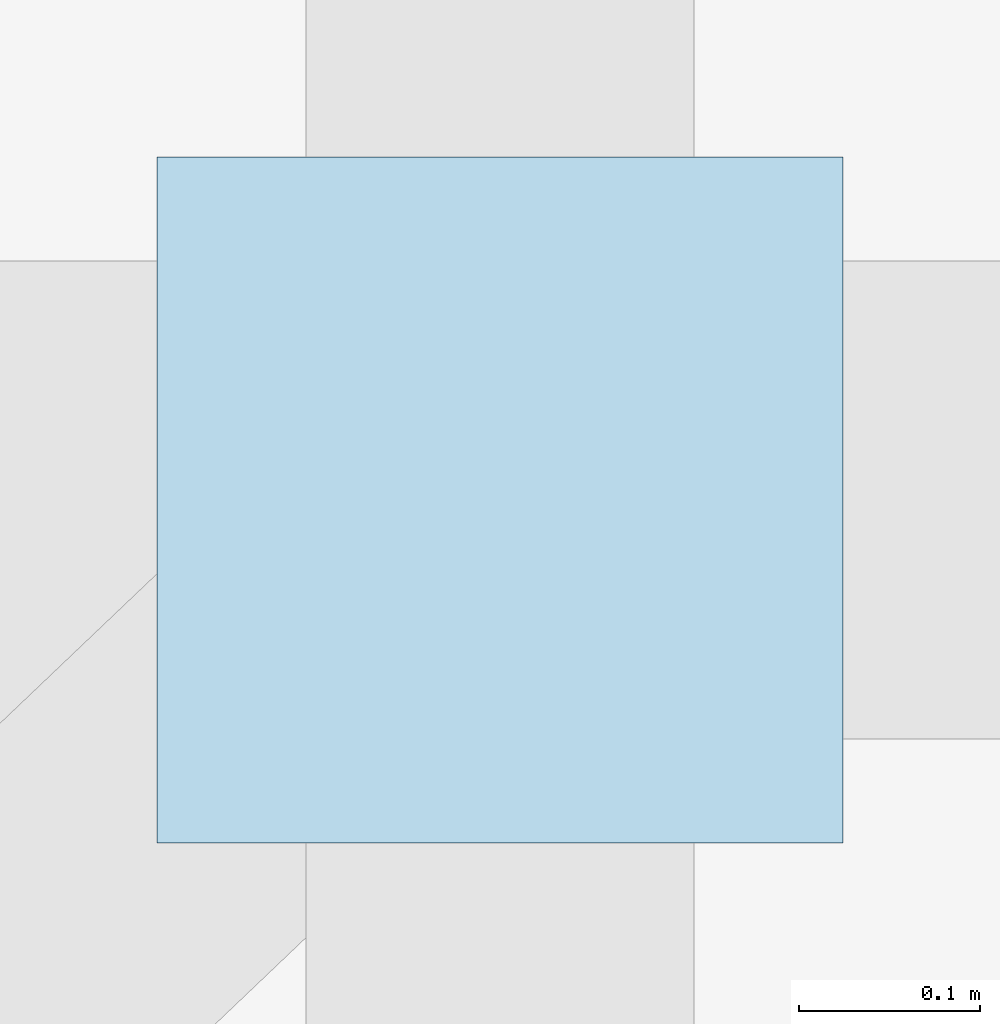
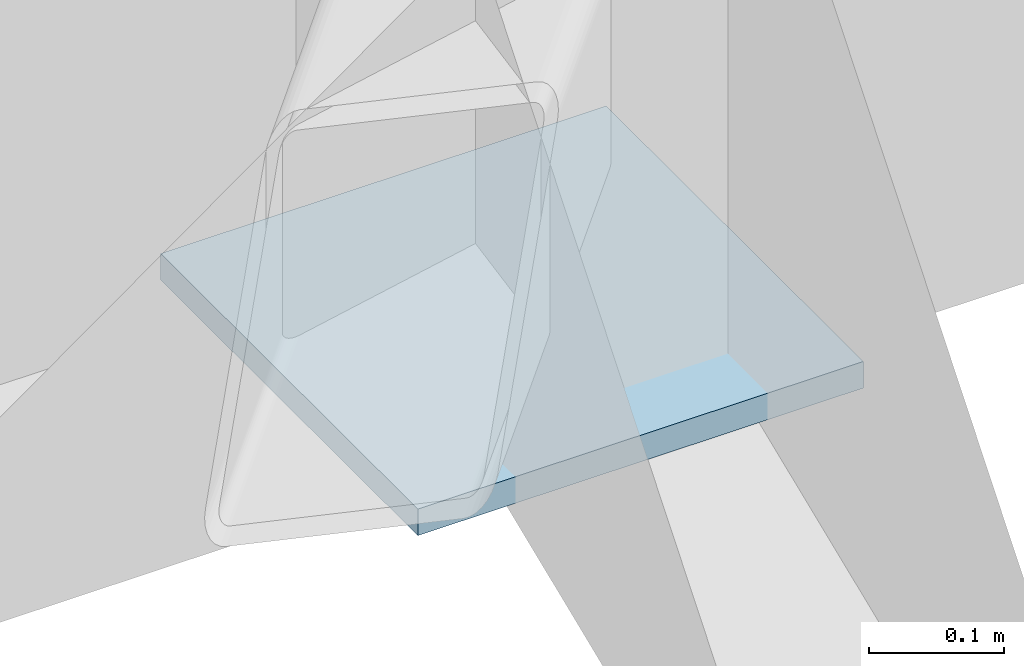
# One storey, part 3 of 5: 1 plate.
"""IFC4 building model written with IfcOpenShell, lengths in metres."""

from ifc_helpers import new_model, si_unit, direction, frame, origin, origin_2d, place, context, subcontext, project, spatial, rectangle, extrude, material, layer, layer_set, type_object, element, save


model = new_model("IFC4")

# Units and contexts
model_context = context("Model", 3, precision=1e-05, world=origin(), true_north=direction((0.0, 1.0)))
body_context = subcontext(model_context, "Body", "Model", "MODEL_VIEW")
ifc_project = project(units=[si_unit("LENGTHUNIT", "METRE"), si_unit("AREAUNIT", "SQUARE_METRE"), si_unit("VOLUMEUNIT", "CUBIC_METRE"), si_unit("PLANEANGLEUNIT", "RADIAN"), si_unit("MASSUNIT", "GRAM", prefix="KILO")], contexts=[model_context])

# Site, building, storey
site_placement = place(None, origin())
site = spatial("IfcSite", under=ifc_project, at=site_placement, CompositionType="ELEMENT")
building_placement = place(site_placement, origin())
building = spatial("IfcBuilding", under=site, at=building_placement, Name="Varncliffe General Hospital", CompositionType="ELEMENT")
storey_placement = place(building_placement, frame((0.0, 0.0, 37.199951171875)))
storey = spatial("IfcBuildingStorey", under=building, at=storey_placement, Name="RF", CompositionType="ELEMENT", Elevation=37.199951171875)

# Plate
ifc_material = material(Name="Steel S355 (CSA G40.21 350W)", Category="steel")
ifc_layer = layer(ifc_material, 0.02392578125)
ifc_layer_set = layer_set([ifc_layer], Name="Steel S355 (CSA G40.21 350W)")
plate_type = type_object("IfcPlateType", Name="Steel Gusset and End Plate GP25 (24mm)", PredefinedType="SHEET", material=ifc_layer_set)
plate_placement = place(storey_placement, frame((16.800048828125, 117.199951171875, 3.255126953125), z_axis=(0.0, 0.0, 1.0), x_axis=(1.0, 0.0, 0.0)))
element("IfcPlate", 1, at=plate_placement, inside=storey, type_object=plate_type, Name="RF RF-V6-NW Lateral Brace Gusset Plate 1", PredefinedType="SHEET", context=body_context, shape_type="SweptSolid", body=[
    extrude(rectangle(XDim=0.3798828125, YDim=0.3798828125, at=origin_2d()), origin(), (0.0, 0.0, 1.0), 0.02392578125),
])

save(model, "model.ifc")
